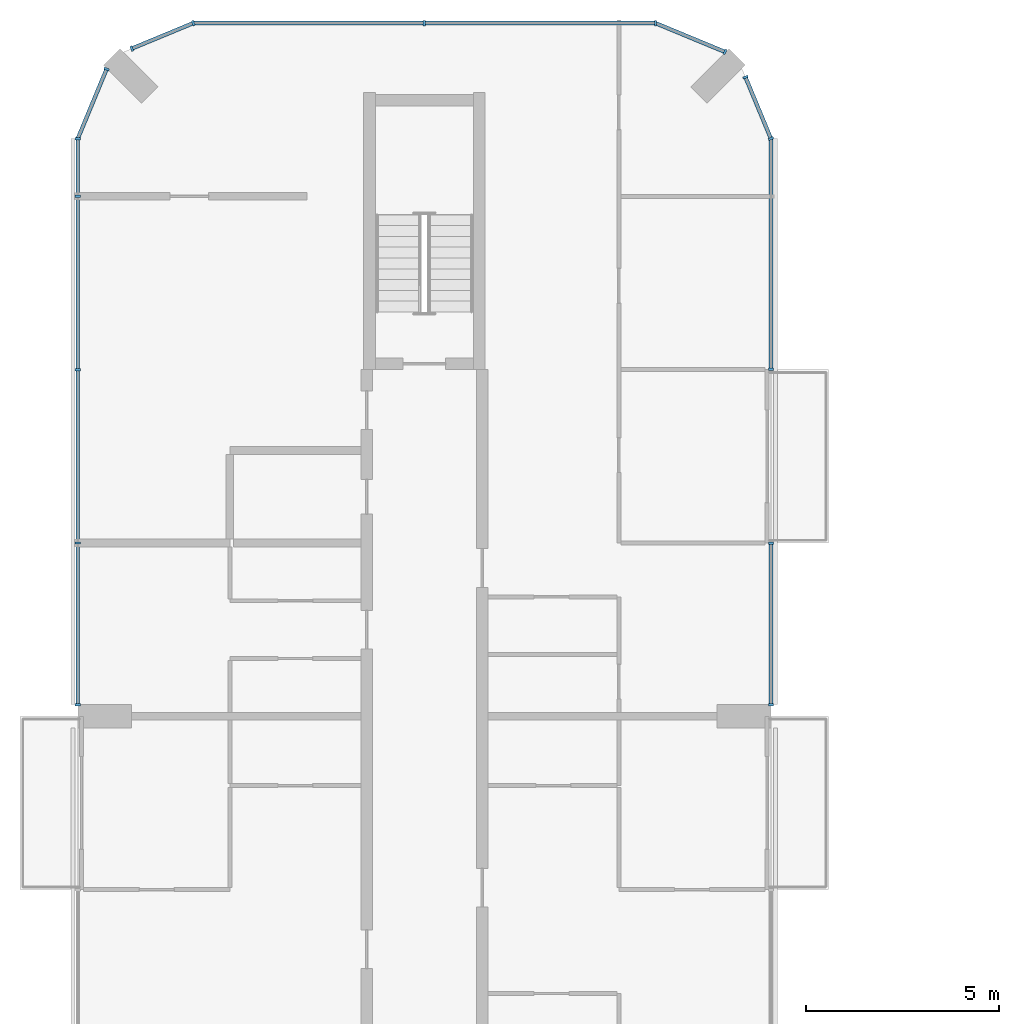
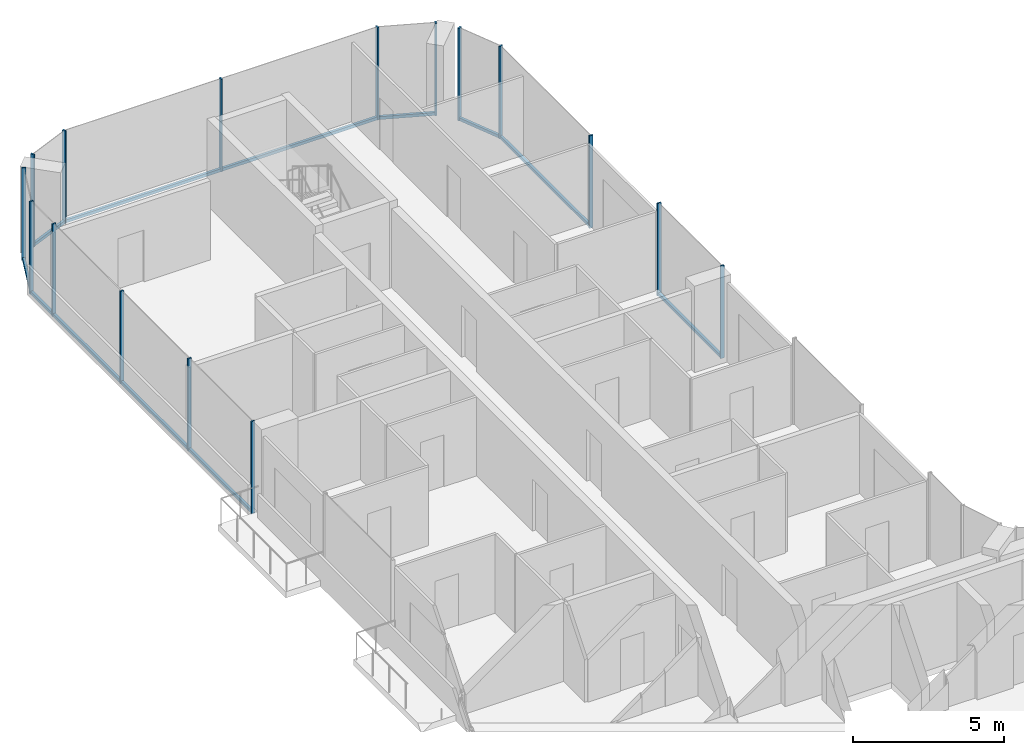
# One storey, part 7 of 16: 24 members, 8 elements without a shape of their own.
"""IFC4 building model written with IfcOpenShell, lengths in metres."""

from ifc_helpers import new_model, si_unit, direction, frame, origin, origin_2d, place, context, subcontext, project, spatial, rectangle, extrude, material, layer, layer_set, material_profile, profile_set, type_object, element, aggregate, save


model = new_model("IFC4")

# Units and contexts
model_context = context("Model", 3, precision=1e-05, world=origin(), true_north=direction((0.0, 1.0)))
body_context = subcontext(model_context, "Body", "Model", "MODEL_VIEW")
ifc_project = project(units=[si_unit("LENGTHUNIT", "METRE"), si_unit("AREAUNIT", "SQUARE_METRE"), si_unit("VOLUMEUNIT", "CUBIC_METRE"), si_unit("PLANEANGLEUNIT", "RADIAN"), si_unit("MASSUNIT", "GRAM", prefix="KILO")], contexts=[model_context])

# Site, building, storey
site_placement = place(None, origin())
site = spatial("IfcSite", under=ifc_project, at=site_placement, CompositionType="ELEMENT")
building_placement = place(site_placement, origin())
building = spatial("IfcBuilding", under=site, at=building_placement, Name="Plateau Cross Towers", CompositionType="ELEMENT")
storey_placement = place(building_placement, frame((0.0, 0.0, 181.39990234375)))
storey = spatial("IfcBuildingStorey", under=building, at=storey_placement, Name="L47", CompositionType="ELEMENT", Elevation=181.39990234375)

# Curtain wall, members
ifc_material_1 = material(Name="Dark low-iron glass", Category="glass")
ifc_layer = layer(ifc_material_1, 0.239990234375)
ifc_layer_set = layer_set([ifc_layer], Name="Dark low-iron glass")
curtain_wall_type = type_object("IfcCurtainWallType", Name="Curtain wall flush unitised CW-B", PredefinedType="NOTDEFINED", material=ifc_layer_set)
curtain_wall_1_placement = place(storey_placement, origin())
curtain_wall_1 = element("IfcCurtainWall", 1, at=curtain_wall_1_placement, inside=storey, type_object=curtain_wall_type, Name="ENV/A/L47/A180_363", PredefinedType="NOTDEFINED")
ifc_material_2 = material(Name="Black anodised aluminium", Category="aluminium")
ifc_material_profile_1 = material_profile(ifc_material_2, rectangle(XDim=0.06005859375, YDim=0.139892578125, at=origin_2d()), Name="MULLION 60x140")
ifc_profile_set_1 = profile_set([ifc_material_profile_1], Name="Black anodised aluminium")
member_type_1 = type_object("IfcMemberType", Name="Mullion 60x140 flush unitised", PredefinedType="MULLION", material=ifc_profile_set_1)
member_1_placement = place(storey_placement, frame((18.0, 36.300048828125, -0.25), z_axis=(0.0, 0.0, 1.0), x_axis=(0.0, 1.0, 0.0)))
member_1 = element("IfcMember", 2, at=member_1_placement, type_object=member_type_1, Name="CW-B mullion 1", PredefinedType="MULLION", context=body_context, shape_type="SweptSolid", body=[
    extrude(rectangle(XDim=0.06005859375, YDim=0.139892578125, at=origin_2d()), origin(), (0.0, 0.0, 1.0), 3.75),
])
member_2_placement = place(storey_placement, frame((18.0, 40.489990234375, -0.25), z_axis=(0.0, 0.0, 1.0), x_axis=(0.0, 1.0, 0.0)))
member_2 = element("IfcMember", 3, at=member_2_placement, type_object=member_type_1, Name="CW-B mullion 2", PredefinedType="MULLION", context=body_context, shape_type="SweptSolid", body=[
    extrude(rectangle(XDim=0.06005859375, YDim=0.139892578125, at=origin_2d()), origin(), (0.0, 0.0, 1.0), 3.75),
])

# Curtain wall, member
curtain_wall_2_placement = place(storey_placement, origin())
curtain_wall_2 = element("IfcCurtainWall", 4, at=curtain_wall_2_placement, inside=storey, type_object=curtain_wall_type, Name="ENV/A/L47/A180_450", PredefinedType="NOTDEFINED")
member_3_placement = place(storey_placement, frame((18.0, 45.010009765625, -0.25), z_axis=(0.0, 0.0, 1.0), x_axis=(0.0, 1.0, 0.0)))
member_3 = element("IfcMember", 5, at=member_3_placement, type_object=member_type_1, Name="CW-B mullion 1", PredefinedType="MULLION", context=body_context, shape_type="SweptSolid", body=[
    extrude(rectangle(XDim=0.06005859375, YDim=0.139892578125, at=origin_2d()), origin(), (0.0, 0.0, 1.0), 3.75),
])

# Curtain wall, members
curtain_wall_3_placement = place(storey_placement, origin())
curtain_wall_3 = element("IfcCurtainWall", 6, at=curtain_wall_3_placement, inside=storey, type_object=curtain_wall_type, Name="ENV/A/L47/A180_510", PredefinedType="NOTDEFINED")
member_4_placement = place(storey_placement, frame((18.0, 51.0, -0.25), z_axis=(0.0, 0.0, 1.0), x_axis=(-0.382683612978, 0.923879457699, 0.0)))
member_4 = element("IfcMember", 7, at=member_4_placement, type_object=member_type_1, Name="CW-B mullion 1", PredefinedType="MULLION", context=body_context, shape_type="SweptSolid", body=[
    extrude(rectangle(XDim=0.06005859375, YDim=0.139892578125, at=origin_2d()), origin(), (0.0, 0.0, 1.0), 3.75),
])
member_5_placement = place(storey_placement, frame((17.338623046875, 52.5966796875, -0.25), z_axis=(0.0, 0.0, 1.0), x_axis=(-0.382683612978, 0.923879457699, 0.0)))
member_5 = element("IfcMember", 8, at=member_5_placement, type_object=member_type_1, Name="CW-B mullion 2", PredefinedType="MULLION", context=body_context, shape_type="SweptSolid", body=[
    extrude(rectangle(XDim=0.06005859375, YDim=0.139892578125, at=origin_2d()), origin(), (0.0, 0.0, 1.0), 3.75),
])

# Curtain wall, member
curtain_wall_4_placement = place(storey_placement, origin())
curtain_wall_4 = element("IfcCurtainWall", 9, at=curtain_wall_4_placement, inside=storey, type_object=curtain_wall_type, Name="ENV/A/L47/A168_533", PredefinedType="NOTDEFINED")
member_6_placement = place(storey_placement, frame((16.805908203125, 53.251953125, -0.25), z_axis=(0.0, 0.0, 1.0), x_axis=(-0.923879457699, 0.382683612978, 0.0)))
member_6 = element("IfcMember", 10, at=member_6_placement, type_object=member_type_1, Name="CW-B mullion 1", PredefinedType="MULLION", context=body_context, shape_type="SweptSolid", body=[
    extrude(rectangle(XDim=0.06005859375, YDim=0.139892578125, at=origin_2d()), origin(), (0.0, 0.0, 1.0), 3.75),
])

# Curtain wall, members
curtain_wall_5_placement = place(storey_placement, origin())
curtain_wall_5 = element("IfcCurtainWall", 11, at=curtain_wall_5_placement, inside=storey, type_object=curtain_wall_type, Name="ENV/A/L47/A150_540", PredefinedType="NOTDEFINED")
member_7_placement = place(storey_placement, frame((15.0, 54.0, -0.25), z_axis=(0.0, 0.0, 1.0), x_axis=(-1.0, 0.0, 0.0)))
member_7 = element("IfcMember", 12, at=member_7_placement, type_object=member_type_1, Name="CW-B mullion 1", PredefinedType="MULLION", context=body_context, shape_type="SweptSolid", body=[
    extrude(rectangle(XDim=0.06005859375, YDim=0.139892578125, at=origin_2d()), origin(), (0.0, 0.0, 1.0), 3.75),
])
member_8_placement = place(storey_placement, frame((9.0, 54.0, -0.25), z_axis=(0.0, 0.0, 1.0), x_axis=(-1.0, 0.0, 0.0)))
member_8 = element("IfcMember", 13, at=member_8_placement, type_object=member_type_1, Name="CW-B mullion 2", PredefinedType="MULLION", context=body_context, shape_type="SweptSolid", body=[
    extrude(rectangle(XDim=0.06005859375, YDim=0.139892578125, at=origin_2d()), origin(), (0.0, 0.0, 1.0), 3.75),
])

curtain_wall_6_placement = place(storey_placement, origin())
curtain_wall_6 = element("IfcCurtainWall", 14, at=curtain_wall_6_placement, inside=storey, type_object=curtain_wall_type, Name="ENV/A/L47/A30_540", PredefinedType="NOTDEFINED")
member_9_placement = place(storey_placement, frame((3.0, 54.0, -0.25), z_axis=(0.0, 0.0, 1.0), x_axis=(-0.923879457699, -0.382683612978, 0.0)))
member_9 = element("IfcMember", 15, at=member_9_placement, type_object=member_type_1, Name="CW-B mullion 1", PredefinedType="MULLION", context=body_context, shape_type="SweptSolid", body=[
    extrude(rectangle(XDim=0.06005859375, YDim=0.139892578125, at=origin_2d()), origin(), (0.0, 0.0, 1.0), 3.75),
])
member_10_placement = place(storey_placement, frame((1.4033203125, 53.338623046875, -0.25), z_axis=(0.0, 0.0, 1.0), x_axis=(-0.923879457699, -0.382683612978, 0.0)))
member_10 = element("IfcMember", 16, at=member_10_placement, type_object=member_type_1, Name="CW-B mullion 2", PredefinedType="MULLION", context=body_context, shape_type="SweptSolid", body=[
    extrude(rectangle(XDim=0.06005859375, YDim=0.139892578125, at=origin_2d()), origin(), (0.0, 0.0, 1.0), 3.75),
])

# Curtain wall, member
curtain_wall_7_placement = place(storey_placement, origin())
curtain_wall_7 = element("IfcCurtainWall", 17, at=curtain_wall_7_placement, inside=storey, type_object=curtain_wall_type, Name="ENV/A/L47/A7_528", PredefinedType="NOTDEFINED")
member_11_placement = place(storey_placement, frame((0.748046875, 52.805908203125, -0.25), z_axis=(0.0, 0.0, 1.0), x_axis=(-0.382683612978, -0.923879457699, 0.0)))
member_11 = element("IfcMember", 18, at=member_11_placement, type_object=member_type_1, Name="CW-B mullion 1", PredefinedType="MULLION", context=body_context, shape_type="SweptSolid", body=[
    extrude(rectangle(XDim=0.06005859375, YDim=0.139892578125, at=origin_2d()), origin(), (0.0, 0.0, 1.0), 3.75),
])

# Curtain wall, members
curtain_wall_8_placement = place(storey_placement, origin())
curtain_wall_8 = element("IfcCurtainWall", 19, at=curtain_wall_8_placement, inside=storey, type_object=curtain_wall_type, Name="ENV/A/L47/A0_510", PredefinedType="NOTDEFINED")
member_12_placement = place(storey_placement, frame((0.0, 51.0, -0.25), z_axis=(0.0, 0.0, 1.0), x_axis=(0.0, -1.0, 0.0)))
member_12 = element("IfcMember", 20, at=member_12_placement, type_object=member_type_1, Name="CW-B mullion 1", PredefinedType="MULLION", context=body_context, shape_type="SweptSolid", body=[
    extrude(rectangle(XDim=0.06005859375, YDim=0.139892578125, at=origin_2d()), origin(), (0.0, 0.0, 1.0), 3.75),
])
member_13_placement = place(storey_placement, frame((0.0, 49.5, -0.25), z_axis=(0.0, 0.0, 1.0), x_axis=(0.0, -1.0, 0.0)))
member_13 = element("IfcMember", 21, at=member_13_placement, type_object=member_type_1, Name="CW-B mullion 2", PredefinedType="MULLION", context=body_context, shape_type="SweptSolid", body=[
    extrude(rectangle(XDim=0.06005859375, YDim=0.139892578125, at=origin_2d()), origin(), (0.0, 0.0, 1.0), 3.75),
])
member_14_placement = place(storey_placement, frame((0.0, 45.0, -0.25), z_axis=(0.0, 0.0, 1.0), x_axis=(0.0, -1.0, 0.0)))
member_14 = element("IfcMember", 22, at=member_14_placement, type_object=member_type_1, Name="CW-B mullion 3", PredefinedType="MULLION", context=body_context, shape_type="SweptSolid", body=[
    extrude(rectangle(XDim=0.06005859375, YDim=0.139892578125, at=origin_2d()), origin(), (0.0, 0.0, 1.0), 3.75),
])
member_15_placement = place(storey_placement, frame((0.0, 40.5, -0.25), z_axis=(0.0, 0.0, 1.0), x_axis=(0.0, -1.0, 0.0)))
member_15 = element("IfcMember", 23, at=member_15_placement, type_object=member_type_1, Name="CW-B mullion 4", PredefinedType="MULLION", context=body_context, shape_type="SweptSolid", body=[
    extrude(rectangle(XDim=0.06005859375, YDim=0.139892578125, at=origin_2d()), origin(), (0.0, 0.0, 1.0), 3.75),
])
member_16_placement = place(storey_placement, frame((0.0, 36.300048828125, -0.25), z_axis=(0.0, 0.0, 1.0), x_axis=(0.0, -1.0, 0.0)))
member_16 = element("IfcMember", 24, at=member_16_placement, type_object=member_type_1, Name="CW-B mullion 5", PredefinedType="MULLION", context=body_context, shape_type="SweptSolid", body=[
    extrude(rectangle(XDim=0.06005859375, YDim=0.139892578125, at=origin_2d()), origin(), (0.0, 0.0, 1.0), 3.75),
])

# Member
ifc_material_profile_2 = material_profile(ifc_material_2, rectangle(XDim=0.10009765625, YDim=0.1201171875, at=origin_2d()), Name="TRANSOM 100x120")
ifc_profile_set_2 = profile_set([ifc_material_profile_2], Name="Black anodised aluminium")
member_type_2 = type_object("IfcMemberType", Name="Transom 100x120 flush unitised", PredefinedType="USERDEFINED", material=ifc_profile_set_2)
member_17_placement = place(storey_placement, frame((18.0, 36.300048828125, -0.18994140625), z_axis=(0.0, 1.0, 0.0), x_axis=(-1.0, 0.0, 0.0)))
member_17 = element("IfcMember", 25, at=member_17_placement, type_object=member_type_2, Name="CW-B transom", ObjectType="TRANSOM", PredefinedType="USERDEFINED", context=body_context, shape_type="SweptSolid", body=[
    extrude(rectangle(XDim=0.10009765625, YDim=0.1201171875, at=origin_2d()), origin(), (0.0, 0.0, 1.0), 4.18994140625),
])

aggregate(curtain_wall_1, [member_1, member_2, member_17])

member_18_placement = place(storey_placement, frame((18.0, 45.010009765625, -0.18994140625), z_axis=(0.0, 1.0, 0.0), x_axis=(-1.0, 0.0, 0.0)))
member_18 = element("IfcMember", 26, at=member_18_placement, type_object=member_type_2, Name="CW-B transom", ObjectType="TRANSOM", PredefinedType="USERDEFINED", context=body_context, shape_type="SweptSolid", body=[
    extrude(rectangle(XDim=0.10009765625, YDim=0.1201171875, at=origin_2d()), origin(), (0.0, 0.0, 1.0), 5.989990234375),
])

aggregate(curtain_wall_2, [member_3, member_18])

member_19_placement = place(storey_placement, frame((18.0, 51.0, -0.18994140625), z_axis=(-0.382688653628, 0.923877369776, 0.0), x_axis=(-0.923877369776, -0.382688653628, 0.0)))
member_19 = element("IfcMember", 27, at=member_19_placement, type_object=member_type_2, Name="CW-B transom", ObjectType="TRANSOM", PredefinedType="USERDEFINED", context=body_context, shape_type="SweptSolid", body=[
    extrude(rectangle(XDim=0.10009765625, YDim=0.1201171875, at=origin_2d()), origin(), (0.0, 0.0, 1.0), 1.728271484375),
])

aggregate(curtain_wall_3, [member_4, member_5, member_19])

member_20_placement = place(storey_placement, frame((16.805908203125, 53.251953125, -0.18994140625), z_axis=(-0.92387678234, 0.382690071798, 0.0), x_axis=(-0.382690071798, -0.92387678234, 0.0)))
member_20 = element("IfcMember", 28, at=member_20_placement, type_object=member_type_2, Name="CW-B transom", ObjectType="TRANSOM", PredefinedType="USERDEFINED", context=body_context, shape_type="SweptSolid", body=[
    extrude(rectangle(XDim=0.10009765625, YDim=0.1201171875, at=origin_2d()), origin(), (0.0, 0.0, 1.0), 1.95458984375),
])

aggregate(curtain_wall_4, [member_6, member_20])

member_21_placement = place(storey_placement, frame((15.0, 54.0, -0.18994140625), z_axis=(-1.0, 0.0, 0.0), x_axis=(0.0, -1.0, 0.0)))
member_21 = element("IfcMember", 29, at=member_21_placement, type_object=member_type_2, Name="CW-B transom", ObjectType="TRANSOM", PredefinedType="USERDEFINED", context=body_context, shape_type="SweptSolid", body=[
    extrude(rectangle(XDim=0.10009765625, YDim=0.1201171875, at=origin_2d()), origin(), (0.0, 0.0, 1.0), 12.0),
])

aggregate(curtain_wall_5, [member_7, member_8, member_21])

member_22_placement = place(storey_placement, frame((3.0, 54.0, -0.18994140625), z_axis=(-0.923877369776, -0.382688653628, 0.0), x_axis=(0.382688653628, -0.923877369776, 0.0)))
member_22 = element("IfcMember", 30, at=member_22_placement, type_object=member_type_2, Name="CW-B transom", ObjectType="TRANSOM", PredefinedType="USERDEFINED", context=body_context, shape_type="SweptSolid", body=[
    extrude(rectangle(XDim=0.10009765625, YDim=0.1201171875, at=origin_2d()), origin(), (0.0, 0.0, 1.0), 1.728271484375),
])

aggregate(curtain_wall_6, [member_9, member_10, member_22])

member_23_placement = place(storey_placement, frame((0.748046875, 52.805908203125, -0.18994140625), z_axis=(-0.382690071798, -0.92387678234, 0.0), x_axis=(0.92387678234, -0.382690071798, 0.0)))
member_23 = element("IfcMember", 31, at=member_23_placement, type_object=member_type_2, Name="CW-B transom", ObjectType="TRANSOM", PredefinedType="USERDEFINED", context=body_context, shape_type="SweptSolid", body=[
    extrude(rectangle(XDim=0.10009765625, YDim=0.1201171875, at=origin_2d()), origin(), (0.0, 0.0, 1.0), 1.95458984375),
])

aggregate(curtain_wall_7, [member_11, member_23])

member_24_placement = place(storey_placement, frame((0.0, 51.0, -0.18994140625), z_axis=(0.0, -1.0, 0.0), x_axis=(1.0, 0.0, 0.0)))
member_24 = element("IfcMember", 32, at=member_24_placement, type_object=member_type_2, Name="CW-B transom", ObjectType="TRANSOM", PredefinedType="USERDEFINED", context=body_context, shape_type="SweptSolid", body=[
    extrude(rectangle(XDim=0.10009765625, YDim=0.1201171875, at=origin_2d()), origin(), (0.0, 0.0, 1.0), 14.699951171875),
])

aggregate(curtain_wall_8, [member_12, member_13, member_14, member_15, member_16, member_24])

save(model, "model.ifc")
